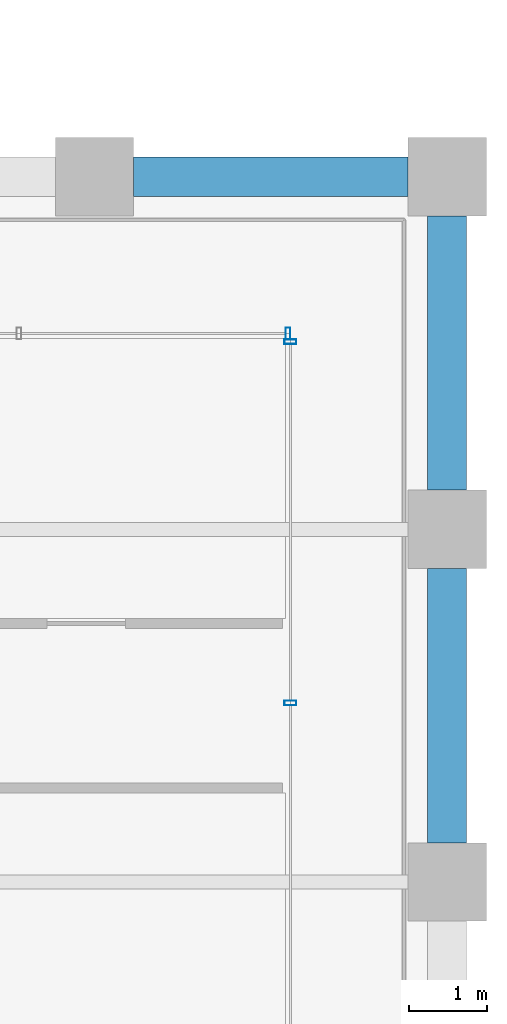
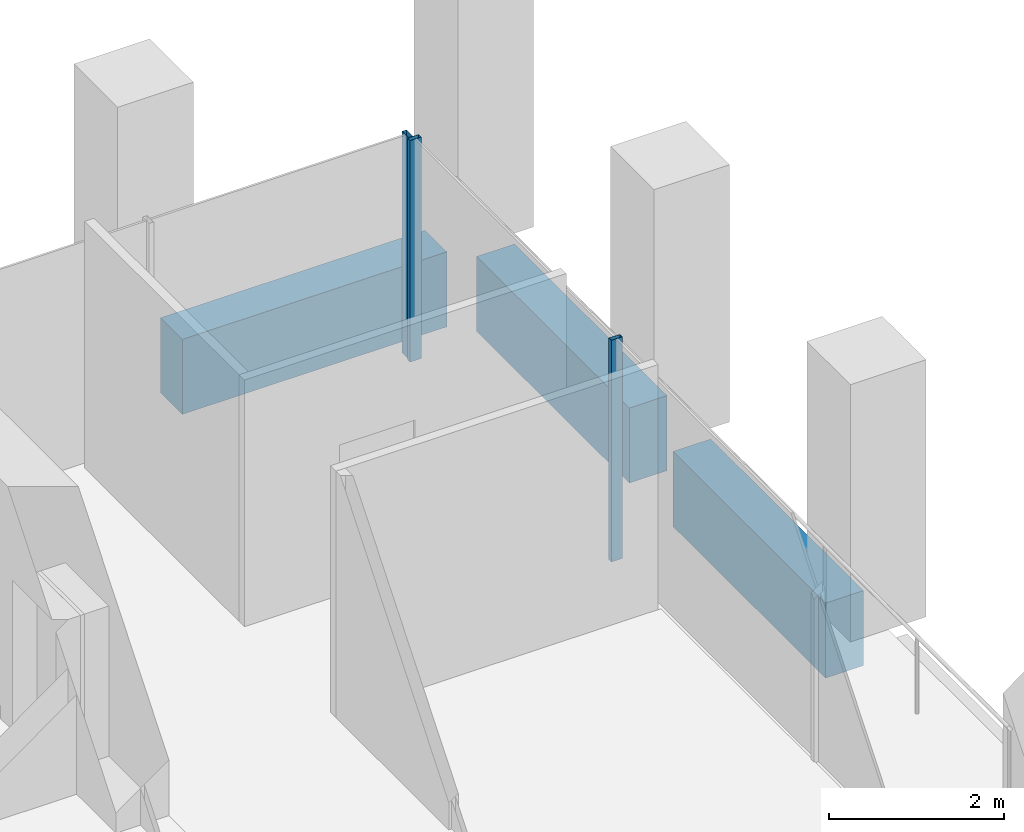
# One storey, part 38 of 47: 3 beams, 3 members, 2 elements without a shape of their own.
"""IFC4 building model written with IfcOpenShell, lengths in metres."""

from ifc_helpers import new_model, si_unit, direction, frame, origin, origin_2d, place, context, subcontext, project, spatial, rectangle, hollow_rectangle, extrude, material, material_profile, profile_set, type_object, element, aggregate, save


model = new_model("IFC4")

# Units and contexts
model_context = context("Model", 3, precision=1e-05, world=origin(), true_north=direction((0.0, 1.0)))
body_context = subcontext(model_context, "Body", "Model", "MODEL_VIEW")
ifc_project = project(units=[si_unit("LENGTHUNIT", "METRE"), si_unit("AREAUNIT", "SQUARE_METRE"), si_unit("VOLUMEUNIT", "CUBIC_METRE"), si_unit("PLANEANGLEUNIT", "RADIAN"), si_unit("MASSUNIT", "GRAM", prefix="KILO")], contexts=[model_context])

# Site, building, storey
site_placement = place(None, origin())
site = spatial("IfcSite", under=ifc_project, at=site_placement, CompositionType="ELEMENT")
building_placement = place(site_placement, origin())
building = spatial("IfcBuilding", under=site, at=building_placement, Name="Altepetl Exchange Towers", CompositionType="ELEMENT")
storey_placement = place(building_placement, frame((0.0, 0.0, 95.60009765625)))
storey = spatial("IfcBuildingStorey", under=building, at=storey_placement, Name="L23", CompositionType="ELEMENT", Elevation=95.60009765625)

# Curtain wall, members
ifc_material_1 = material(Name="Aluminium 6063-T6 glazing", Category="aluminium")
curtain_wall_type = type_object("IfcCurtainWallType", Name="Loggia glazing system", PredefinedType="NOTDEFINED", material=ifc_material_1)
curtain_wall_1_placement = place(storey_placement, origin())
curtain_wall_1 = element("IfcCurtainWall", 1, at=curtain_wall_1_placement, inside=storey, type_object=curtain_wall_type, Name="CW1 run", PredefinedType="NOTDEFINED")
ifc_material_2 = material(Name="Aluminium 6063-T6", Category="aluminium")
ifc_material_profile_1 = material_profile(ifc_material_2, hollow_rectangle(XDim=0.06005859375, YDim=0.14990234375, WallThickness=0.0029296875, at=origin_2d()), Name="Mullion 60x150 aluminium")
ifc_profile_set_1 = profile_set([ifc_material_profile_1], Name="Aluminium 6063-T6")
member_type = type_object("IfcMemberType", Name="Mullion 60x150 aluminium", PredefinedType="MULLION", material=ifc_profile_set_1)
member_1_placement = place(storey_placement, frame((124.0, 42.783447265625, 0.0), z_axis=(0.0, 0.0, 1.0), x_axis=(0.0, 1.0, 0.0)))
member_1 = element("IfcMember", 2, at=member_1_placement, type_object=member_type, Name="MU1 mullion", PredefinedType="MULLION", context=body_context, shape_type="SweptSolid", body=[
    extrude(hollow_rectangle(XDim=0.06005859375, YDim=0.14990234375, WallThickness=0.0029296875, at=origin_2d()), origin(), (0.0, 0.0, 1.0), 3.099853515625),
])
member_2_placement = place(storey_placement, frame((124.0, 47.39501953125, 0.0), z_axis=(0.0, 0.0, 1.0), x_axis=(0.0, 1.0, 0.0)))
member_2 = element("IfcMember", 3, at=member_2_placement, type_object=member_type, Name="MU1 mullion", PredefinedType="MULLION", context=body_context, shape_type="SweptSolid", body=[
    extrude(hollow_rectangle(XDim=0.06005859375, YDim=0.14990234375, WallThickness=0.0029296875, at=origin_2d()), origin(), (0.0, 0.0, 1.0), 3.099853515625),
])
aggregate(curtain_wall_1, [member_1, member_2])

# Curtain wall, member
curtain_wall_2_placement = place(storey_placement, origin())
curtain_wall_2 = element("IfcCurtainWall", 4, at=curtain_wall_2_placement, inside=storey, type_object=curtain_wall_type, Name="CW1 run", PredefinedType="NOTDEFINED")
member_3_placement = place(storey_placement, frame((123.969970703125, 47.5, 0.0), z_axis=(0.0, 0.0, 1.0), x_axis=(-1.0, 0.0, 0.0)))
member_3 = element("IfcMember", 5, at=member_3_placement, type_object=member_type, Name="MU1 mullion", PredefinedType="MULLION", context=body_context, shape_type="SweptSolid", body=[
    extrude(hollow_rectangle(XDim=0.06005859375, YDim=0.14990234375, WallThickness=0.0029296875, at=origin_2d()), origin(), (0.0, 0.0, 1.0), 3.099853515625),
])
aggregate(curtain_wall_2, [member_3])

# Beams
ifc_material_3 = material(Name="Concrete C50/60 precast with cantera amarilla facing", Category="concrete")
ifc_material_profile_2 = material_profile(ifc_material_3, rectangle(XDim=0.5, YDim=1.050048828125, at=origin_2d()), Name="500 x 1050")
ifc_profile_set_2 = profile_set([ifc_material_profile_2], Name="Concrete C50/60 precast with cantera amarilla facing")
beam_type_1 = type_object("IfcBeamType", Name="Spandrel beam 500x1050 cantera amarilla", PredefinedType="SPANDREL", material=ifc_profile_set_2)
beam_placement = place(storey_placement, frame((125.5, 49.5, -0.675048828125), z_axis=(-1.0, 0.0, 0.0), x_axis=(0.0, -1.0, 0.0)))
element("IfcBeam", 6, at=beam_placement, inside=storey, type_object=beam_type_1, Name="sp:B:L23:013", PredefinedType="SPANDREL", context=body_context, shape_type="SweptSolid", body=[
    extrude(rectangle(XDim=0.5, YDim=1.050048828125, at=origin_2d()), origin(), (0.0, 0.0, 1.0), 3.5),
])
ifc_material_4 = material(Name="Concrete C50/60 precast with cantera blanca facing", Category="concrete")
ifc_material_profile_3 = material_profile(ifc_material_4, rectangle(XDim=0.5, YDim=1.050048828125, at=origin_2d()), Name="500 x 1050")
ifc_profile_set_3 = profile_set([ifc_material_profile_3], Name="Concrete C50/60 precast with cantera blanca facing")
beam_type_2 = type_object("IfcBeamType", Name="Spandrel beam 500x1050 cantera blanca", PredefinedType="SPANDREL", material=ifc_profile_set_3)
for number, where, z_axis, x_axis, name in (
    (7, (126.0, 41.0, -0.675048828125), (0.0, 1.0, 0.0), (-1.0, 0.0, 0.0), "sp:B:L23:011"),
    (8, (126.0, 45.5, -0.675048828125), (0.0, 1.0, 0.0), (-1.0, 0.0, 0.0), "sp:B:L23:012"),
):
    element("IfcBeam", number, at=place(storey_placement, frame(where, z_axis=z_axis, x_axis=x_axis)), inside=storey, type_object=beam_type_2, Name=name, PredefinedType="SPANDREL", context=body_context, shape_type="SweptSolid", body=[
        extrude(rectangle(XDim=0.5, YDim=1.050048828125, at=origin_2d()), origin(), (0.0, 0.0, 1.0), 3.5),
    ])

save(model, "model.ifc")
